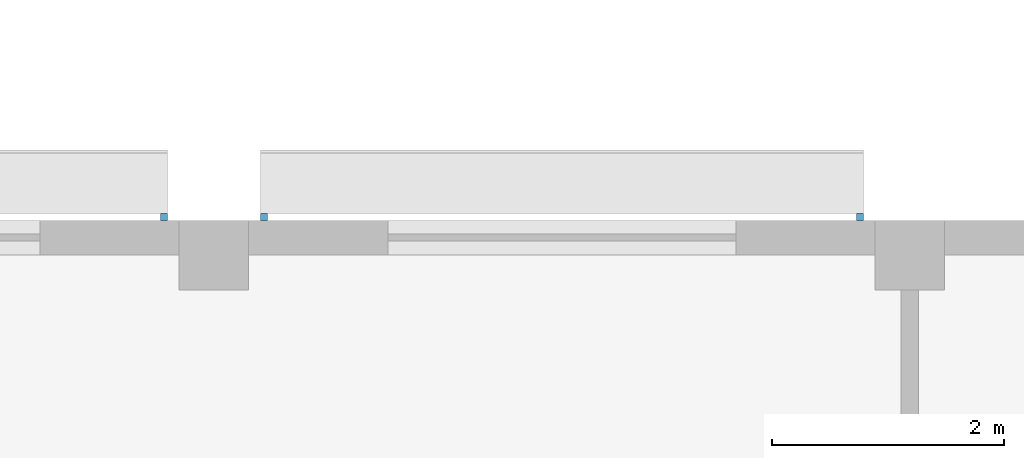
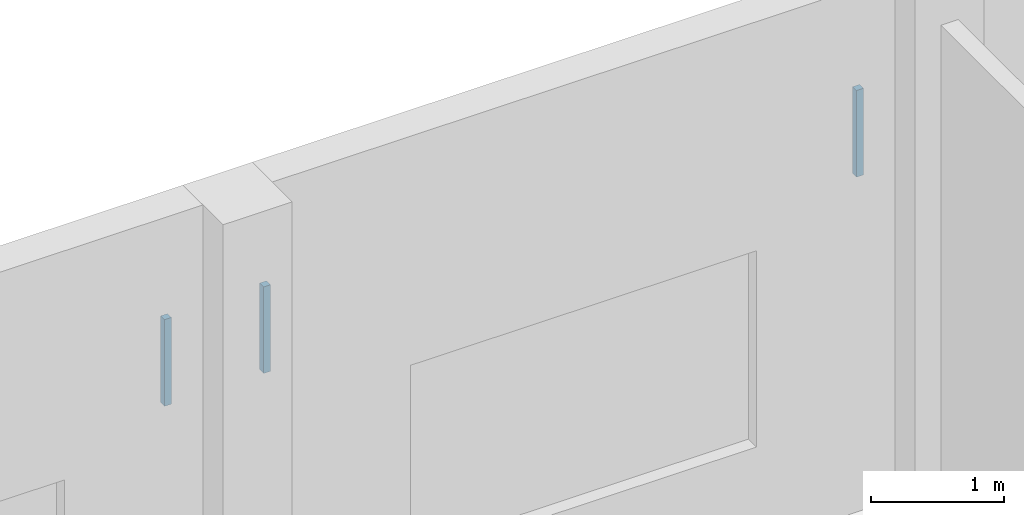
# One storey, part 33 of 45: 3 discrete accessories.
"""IFC4 building model written with IfcOpenShell, lengths in metres."""

from ifc_helpers import new_model, si_unit, direction, frame, origin, origin_2d, place, context, subcontext, project, spatial, rectangle, extrude, material, type_object, element, save


model = new_model("IFC4")

# Units and contexts
model_context = context("Model", 3, precision=1e-05, world=origin(), true_north=direction((0.0, 1.0)))
body_context = subcontext(model_context, "Body", "Model", "MODEL_VIEW")
ifc_project = project(units=[si_unit("LENGTHUNIT", "METRE"), si_unit("AREAUNIT", "SQUARE_METRE"), si_unit("VOLUMEUNIT", "CUBIC_METRE"), si_unit("PLANEANGLEUNIT", "RADIAN"), si_unit("MASSUNIT", "GRAM", prefix="KILO")], contexts=[model_context])

# Site, building, storey
site_placement = place(None, origin())
site = spatial("IfcSite", under=ifc_project, at=site_placement, CompositionType="ELEMENT")
building_placement = place(site_placement, origin())
building = spatial("IfcBuilding", under=site, at=building_placement, Name="Nakaniwa Court", CompositionType="ELEMENT")
storey_placement = place(building_placement, frame((0.0, 0.0, 6.60009765625)))
storey = spatial("IfcBuildingStorey", under=building, at=storey_placement, Name="L01", CompositionType="ELEMENT", Elevation=6.60009765625)

# Discrete accessories
ifc_material = material(Name="Black powder-coated steel bracket S275", Category="steel")
discrete_accessory_type = type_object("IfcDiscreteAccessoryType", Name="Hall black metal louvre bracket", PredefinedType="BRACKET", material=ifc_material)
for number, where, z_axis, x_axis, name in (
    (1, (199.570068359375, 104.030029296875, 2.828125), (0.0, 0.0, 1.0), (1.0, 0.0, 0.0), "Louvre bracket L01 017.2"),
    (2, (200.429931640625, 104.030029296875, 2.828125), (0.0, 0.0, 1.0), (1.0, 0.0, 0.0), "Louvre bracket L01 018.1"),
    (3, (205.570068359375, 104.030029296875, 2.828125), (0.0, 0.0, 1.0), (1.0, 0.0, 0.0), "Louvre bracket L01 018.2"),
):
    element("IfcDiscreteAccessory", number, at=place(storey_placement, frame(where, z_axis=z_axis, x_axis=x_axis)), inside=storey, type_object=discrete_accessory_type, Name=name, PredefinedType="BRACKET", context=body_context, shape_type="SweptSolid", body=[
        extrude(rectangle(XDim=0.06005859375, YDim=0.06005859375, at=origin_2d()), origin(), (0.0, 0.0, 1.0), 0.793212890625),
    ])

save(model, "model.ifc")
